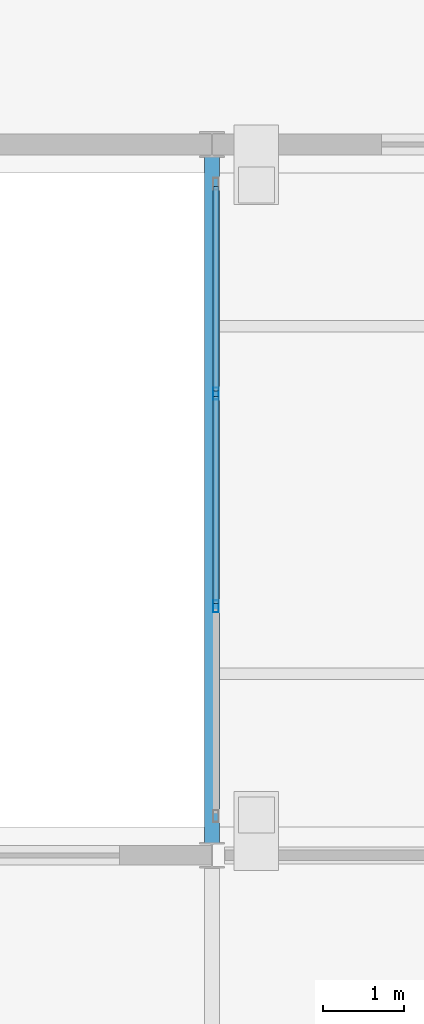
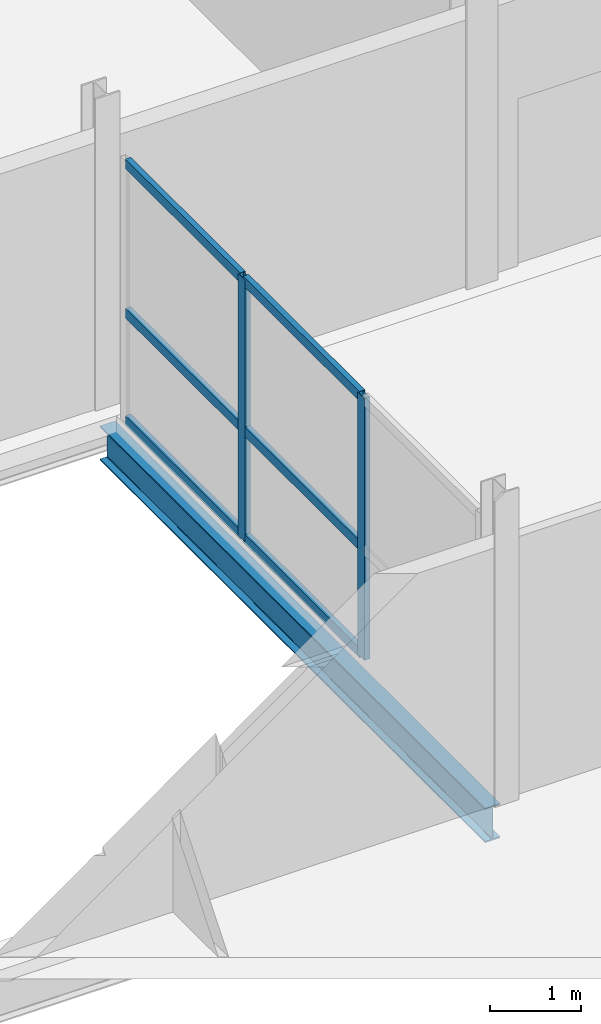
# One storey, part 17 of 60: 8 members, 1 beam, 1 element without a shape of its own.
"""IFC4 building model written with IfcOpenShell, lengths in metres."""

from ifc_helpers import new_model, si_unit, direction, frame, origin, origin_2d, place, context, subcontext, project, spatial, hollow_rectangle, i_section, extrude, material, layer, layer_set, material_profile, profile_set, type_object, element, aggregate, save


model = new_model("IFC4")

# Units and contexts
model_context = context("Model", 3, precision=1e-05, world=origin(), true_north=direction((0.0, 1.0)))
body_context = subcontext(model_context, "Body", "Model", "MODEL_VIEW")
ifc_project = project(units=[si_unit("LENGTHUNIT", "METRE"), si_unit("AREAUNIT", "SQUARE_METRE"), si_unit("VOLUMEUNIT", "CUBIC_METRE"), si_unit("PLANEANGLEUNIT", "RADIAN"), si_unit("MASSUNIT", "GRAM", prefix="KILO")], contexts=[model_context])

# Site, building, storey
site_placement = place(None, origin())
site = spatial("IfcSite", under=ifc_project, at=site_placement, CompositionType="ELEMENT")
building_placement = place(site_placement, origin())
building = spatial("IfcBuilding", under=site, at=building_placement, Name="Quillay Park Conservatory", CompositionType="ELEMENT")
storey_placement = place(building_placement, frame((0.0, 0.0, 9.89990234375)))
storey = spatial("IfcBuildingStorey", under=building, at=storey_placement, Name="L02", CompositionType="ELEMENT", Elevation=9.89990234375)

# Curtain wall, members
ifc_material_1 = material(Name="Thermally Broken Anodised Aluminium 6063-T6", Category="aluminium")
ifc_layer = layer(ifc_material_1, 0.155029296875)
ifc_layer_set = layer_set([ifc_layer], Name="UNITISED CURTAIN WALL BRIDGE (Thermally Broken Anodised Aluminium 6063-T6)")
curtain_wall_type = type_object("IfcCurtainWallType", Name="UNITISED CURTAIN WALL BRIDGE", PredefinedType="USERDEFINED", material=ifc_layer_set)
curtain_wall_placement = place(storey_placement, origin())
curtain_wall = element("IfcCurtainWall", 1, at=curtain_wall_placement, inside=storey, type_object=curtain_wall_type, Name="L02 Unitised Curtain Wall 217", ObjectType="UNITISED CURTAIN WALL", PredefinedType="USERDEFINED")
ifc_material_2 = material(Name="Thermally Broken Anodised Aluminium 6063-T6", Category="aluminium")
ifc_material_profile_1 = material_profile(ifc_material_2, hollow_rectangle(XDim=0.070068359375, YDim=0.14990234375, WallThickness=0.00341796875, at=origin_2d()), Name="AL70x150x3.5")
ifc_profile_set_1 = profile_set([ifc_material_profile_1], Name="Thermally Broken Anodised Aluminium 6063-T6")
member_type_1 = type_object("IfcMemberType", Name="CURTAIN WALL MULLION 70 X150", PredefinedType="MULLION", material=ifc_profile_set_1)
member_1_placement = place(storey_placement, frame((15.050048828125, 57.333251953125, 0.0), z_axis=(0.0, 0.0, 1.0), x_axis=(-1.0, 0.0, 0.0)))
member_1 = element("IfcMember", 2, at=member_1_placement, type_object=member_type_1, Name="CW-B1 mullion 2", PredefinedType="MULLION", context=body_context, shape_type="SweptSolid", body=[
    extrude(hollow_rectangle(XDim=0.070068359375, YDim=0.14990234375, WallThickness=0.00341796875, at=origin_2d()), origin(), (0.0, 0.0, 1.0), 3.524169921875),
])
member_2_placement = place(storey_placement, frame((15.050048828125, 59.966552734375, 0.0), z_axis=(0.0, 0.0, 1.0), x_axis=(-1.0, 0.0, 0.0)))
member_2 = element("IfcMember", 3, at=member_2_placement, type_object=member_type_1, Name="CW-B1 mullion 3", PredefinedType="MULLION", context=body_context, shape_type="SweptSolid", body=[
    extrude(hollow_rectangle(XDim=0.070068359375, YDim=0.14990234375, WallThickness=0.00341796875, at=origin_2d()), origin(), (0.0, 0.0, 1.0), 3.524169921875),
])
ifc_material_3 = material(Name="Thermally Broken Anodised Aluminium 6063-T6", Category="aluminium")
ifc_material_profile_2 = material_profile(ifc_material_3, hollow_rectangle(XDim=0.070068359375, YDim=0.1298828125, WallThickness=0.003173828125, at=origin_2d()), Name="AL70x130x3.2")
ifc_profile_set_2 = profile_set([ifc_material_profile_2], Name="Thermally Broken Anodised Aluminium 6063-T6")
member_type_2 = type_object("IfcMemberType", Name="CURTAIN WALL TRANSOM 70 X130", PredefinedType="USERDEFINED", material=ifc_profile_set_2)
member_3_placement = place(storey_placement, frame((15.050048828125, 57.368408203125, 0.03515625), z_axis=(0.0, 1.0, 0.0), x_axis=(-1.0, 0.0, 0.0)))
member_3 = element("IfcMember", 4, at=member_3_placement, type_object=member_type_2, Name="CW-B1 transom 2.1", ObjectType="TRANSOM", PredefinedType="USERDEFINED", context=body_context, shape_type="SweptSolid", body=[
    extrude(hollow_rectangle(XDim=0.070068359375, YDim=0.1298828125, WallThickness=0.003173828125, at=origin_2d()), origin(), (0.0, 0.0, 1.0), 2.563232421875),
])
member_4_placement = place(storey_placement, frame((15.050048828125, 57.368408203125, 1.480224609375), z_axis=(0.0, 1.0, 0.0), x_axis=(-1.0, 0.0, 0.0)))
member_4 = element("IfcMember", 5, at=member_4_placement, type_object=member_type_2, Name="CW-B1 transom 2.2", ObjectType="TRANSOM", PredefinedType="USERDEFINED", context=body_context, shape_type="SweptSolid", body=[
    extrude(hollow_rectangle(XDim=0.070068359375, YDim=0.1298828125, WallThickness=0.003173828125, at=origin_2d()), origin(), (0.0, 0.0, 1.0), 2.563232421875),
])
member_5_placement = place(storey_placement, frame((15.050048828125, 57.368408203125, 3.489013671875), z_axis=(0.0, 1.0, 0.0), x_axis=(-1.0, 0.0, 0.0)))
member_5 = element("IfcMember", 6, at=member_5_placement, type_object=member_type_2, Name="CW-B1 transom 2.3", ObjectType="TRANSOM", PredefinedType="USERDEFINED", context=body_context, shape_type="SweptSolid", body=[
    extrude(hollow_rectangle(XDim=0.070068359375, YDim=0.1298828125, WallThickness=0.003173828125, at=origin_2d()), origin(), (0.0, 0.0, 1.0), 2.563232421875),
])
member_6_placement = place(storey_placement, frame((15.050048828125, 60.001708984375, 0.03515625), z_axis=(0.0, 1.0, 0.0), x_axis=(-1.0, 0.0, 0.0)))
member_6 = element("IfcMember", 7, at=member_6_placement, type_object=member_type_2, Name="CW-B1 transom 3.1", ObjectType="TRANSOM", PredefinedType="USERDEFINED", context=body_context, shape_type="SweptSolid", body=[
    extrude(hollow_rectangle(XDim=0.070068359375, YDim=0.1298828125, WallThickness=0.003173828125, at=origin_2d()), origin(), (0.0, 0.0, 1.0), 2.5283203125),
])
member_7_placement = place(storey_placement, frame((15.050048828125, 60.001708984375, 1.480224609375), z_axis=(0.0, 1.0, 0.0), x_axis=(-1.0, 0.0, 0.0)))
member_7 = element("IfcMember", 8, at=member_7_placement, type_object=member_type_2, Name="CW-B1 transom 3.2", ObjectType="TRANSOM", PredefinedType="USERDEFINED", context=body_context, shape_type="SweptSolid", body=[
    extrude(hollow_rectangle(XDim=0.070068359375, YDim=0.1298828125, WallThickness=0.003173828125, at=origin_2d()), origin(), (0.0, 0.0, 1.0), 2.5283203125),
])
member_8_placement = place(storey_placement, frame((15.050048828125, 60.001708984375, 3.489013671875), z_axis=(0.0, 1.0, 0.0), x_axis=(-1.0, 0.0, 0.0)))
member_8 = element("IfcMember", 9, at=member_8_placement, type_object=member_type_2, Name="CW-B1 transom 3.3", ObjectType="TRANSOM", PredefinedType="USERDEFINED", context=body_context, shape_type="SweptSolid", body=[
    extrude(hollow_rectangle(XDim=0.070068359375, YDim=0.1298828125, WallThickness=0.003173828125, at=origin_2d()), origin(), (0.0, 0.0, 1.0), 2.5283203125),
])
aggregate(curtain_wall, [member_1, member_2, member_3, member_4, member_5, member_6, member_7, member_8])

# Beam
ifc_material_4 = material(Name="Steel ASTM A992 Grade 50", Category="steel")
ifc_material_profile_3 = material_profile(ifc_material_4, i_section(OverallWidth=0.19189453125, OverallDepth=0.462890625, WebThickness=0.010498046875, FlangeThickness=0.017578125, FilletRadius=0.012939453125, at=origin_2d()), Name="W460x89")
ifc_profile_set_3 = profile_set([ifc_material_profile_3], Name="Steel ASTM A992 Grade 50")
beam_type = type_object("IfcBeamType", Name="PRIMARY FLOOR GIRDER W460 X89", PredefinedType="BEAM", material=ifc_profile_set_3)
beam_placement = place(storey_placement, frame((15.0, 54.405029296875, -0.451416015625), z_axis=(0.0, 1.0, 0.0), x_axis=(-1.0, 0.0, 0.0)))
element("IfcBeam", 10, at=beam_placement, inside=storey, type_object=beam_type, Name="L02 beam BM-LB1-1581", PredefinedType="BEAM", context=body_context, shape_type="SweptSolid", body=[
    extrude(i_section(OverallWidth=0.19189453125, OverallDepth=0.462890625, WebThickness=0.010498046875, FlangeThickness=0.017578125, FilletRadius=0.012939453125, at=origin_2d()), origin(), (0.0, 0.0, 1.0), 8.489990234375),
])

save(model, "model.ifc")
